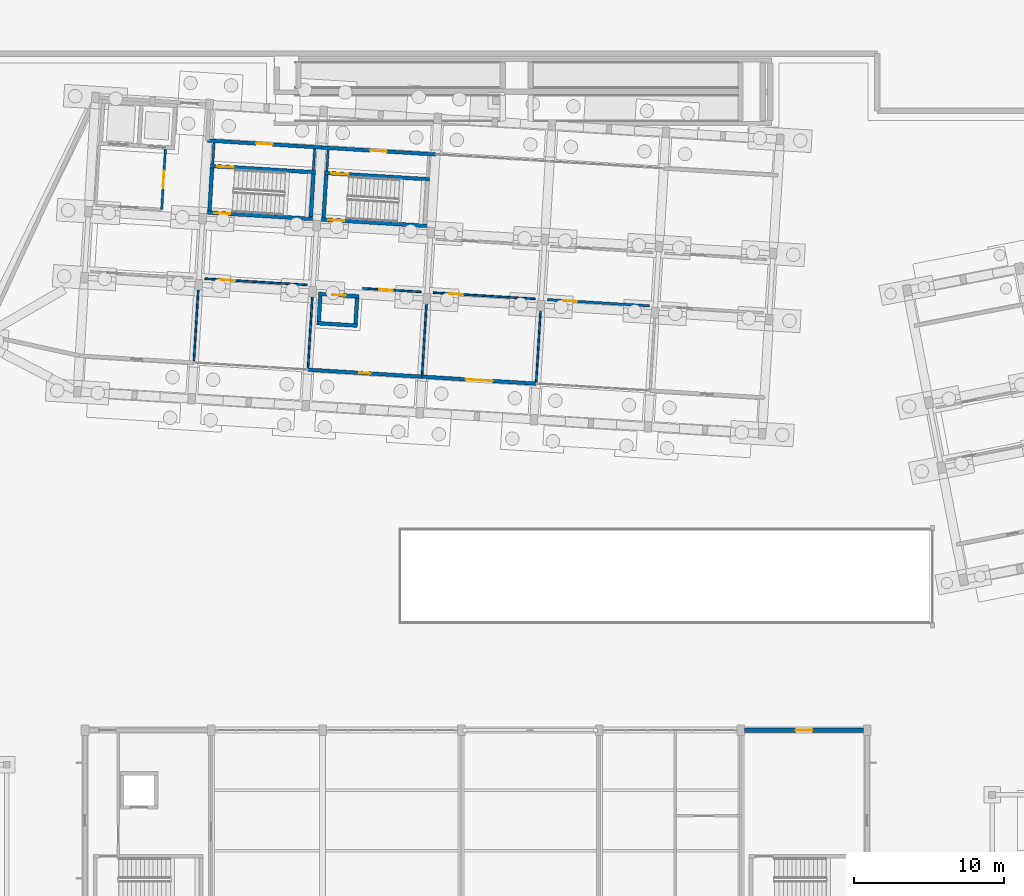
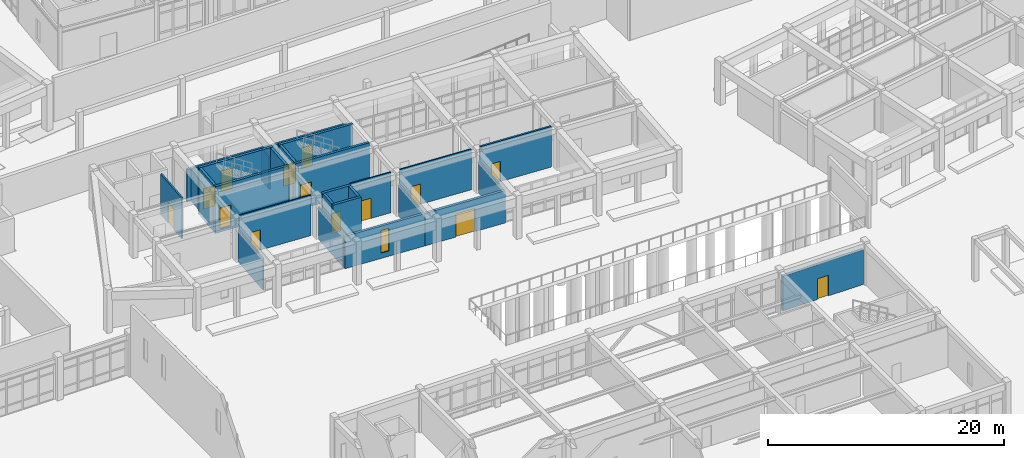
# One storey, part 121 of 154: 28 walls, 14 doors, 1 window, 15 openings.
"""IFC4 building model written with IfcOpenShell, lengths in metres."""

from ifc_helpers import new_model, si_unit, direction, frame, frame_2d, origin, place, context, subcontext, project, spatial, rectangle, extrude, material, layer, layer_set, type_object, element, fill, save


model = new_model("IFC4")

# Units and contexts
model_context = context("Model", 3, precision=1e-05, world=origin(), true_north=direction((0.0, 1.0)))
body_context = subcontext(model_context, "Body", "Model", "MODEL_VIEW")
ifc_project = project(units=[si_unit("LENGTHUNIT", "METRE"), si_unit("AREAUNIT", "SQUARE_METRE"), si_unit("VOLUMEUNIT", "CUBIC_METRE"), si_unit("PLANEANGLEUNIT", "RADIAN"), si_unit("MASSUNIT", "GRAM", prefix="KILO")], contexts=[model_context])

# Site, building, storey
site_placement = place(None, origin())
site = spatial("IfcSite", under=ifc_project, at=site_placement, CompositionType="ELEMENT")
building_placement = place(site_placement, origin())
building = spatial("IfcBuilding", under=site, at=building_placement, Name="Kestramere Prow Commons", CompositionType="ELEMENT")
storey_placement = place(building_placement, origin())
storey = spatial("IfcBuildingStorey", under=building, at=storey_placement, Name="L00", CompositionType="ELEMENT", Elevation=0.0)

# Wall, opening, door
ifc_material_1 = material(Name="Precast concrete C40/50", Category="concrete")
ifc_layer_1 = layer(ifc_material_1, 0.280029296875)
ifc_layer_set_1 = layer_set([ifc_layer_1], Name="Precast concrete C40/50")
wall_type_1 = type_object("IfcWallType", Name="EW-CIVIC-280", PredefinedType="SOLIDWALL", material=ifc_layer_set_1)
wall_1_placement = place(storey_placement, frame((103.85009765625, 24.0, 0.0), z_axis=(0.0, 0.0, 1.0), x_axis=(1.0, 0.0, 0.0)))
wall_1 = element("IfcWall", 1, at=wall_1_placement, inside=storey, type_object=wall_type_1, Name="Market L00 Core Wall 6", PredefinedType="SOLIDWALL", context=body_context, shape_type="SweptSolid", body=[
    extrude(rectangle(XDim=7.89990234375, YDim=0.280029296875, at=frame_2d((3.949951171875, 0.0))), origin(), (0.0, 0.0, 1.0), 3.590087890625),
])
opening_1_placement = place(wall_1_placement, frame((3.39990234375, 0.0, 0.0)))
opening_1 = element("IfcOpeningElement", 2, at=opening_1_placement, cuts=wall_1, Name="Opening ED-03", PredefinedType="OPENING", context=body_context, shape_type="SweptSolid", body=[
    extrude(rectangle(XDim=1.10009765625, YDim=2.14990234375, at=frame_2d((0.550048828125, 1.074951171875))), frame((0.0, 0.155029296875, 0.0), z_axis=(0.0, -1.0, 0.0), x_axis=(1.0, 0.0, 0.0)), (0.0, 0.0, 1.0), 0.31005859375),
])
ifc_material_2 = material(Name="Thermally-Broken Anodised Aluminium Glazed", Category="aluminium")
door_type_1 = type_object("IfcDoorType", Name="ED-STAIR-1100", OperationType="NOTDEFINED", PredefinedType="DOOR", material=ifc_material_2)
door_1_placement = place(opening_1_placement, origin())
door_1 = element("IfcDoor", 3, at=door_1_placement, inside=storey, type_object=door_type_1, Name="Market Stair Exit Door 6", OperationType="SINGLE_SWING_RIGHT", OverallHeight=2.14990234375, OverallWidth=1.10009765625, PredefinedType="DOOR", context=body_context, shape_type="SweptSolid", body=[
    extrude(rectangle(XDim=1.10009765625, YDim=2.14990234375, at=frame_2d((0.550048828125, 1.074951171875))), frame((0.0, 0.02490234375, 0.0), z_axis=(0.0, -1.0, 0.0), x_axis=(1.0, 0.0, 0.0)), (0.0, 0.0, 1.0), 0.050048828125),
])
fill(opening_1, door_1)

# Wall, opening, window
ifc_material_3 = material(Name="Fluoropolymer Standing-Seam Zinc-Aluminium Cladding", Category="aluminium")
ifc_layer_2 = layer(ifc_material_3, 0.239990234375)
ifc_layer_set_2 = layer_set([ifc_layer_2], Name="Fluoropolymer Standing-Seam Zinc-Aluminium Cladding")
wall_type_2 = type_object("IfcWallType", Name="EW-SEAM-240", PredefinedType="SOLIDWALL", material=ifc_layer_set_2)
wall_2_placement = place(storey_placement, frame((82.404052734375, 47.503662109375, 0.0), z_axis=(0.0, 0.0, 1.0), x_axis=(-0.998135669243, 0.061034300063, 0.0)))
wall_2 = element("IfcWall", 4, at=wall_2_placement, inside=storey, type_object=wall_type_2, Name="Block C L00 South Recessed Wall 3", PredefinedType="SOLIDWALL", context=body_context, shape_type="SweptSolid", body=[
    extrude(rectangle(XDim=7.60009765625, YDim=0.239990234375, at=frame_2d((3.800048828125, 0.0))), origin(), (0.0, 0.0, 1.0), 3.35009765625),
])
opening_2_placement = place(wall_2_placement, frame((3.419921875, 0.0, 0.550048828125)))
opening_2 = element("IfcOpeningElement", 5, at=opening_2_placement, cuts=wall_2, Name="Opening WN-10", PredefinedType="OPENING", context=body_context, shape_type="SweptSolid", body=[
    extrude(rectangle(XDim=0.760009765625, YDim=2.340087890625, at=frame_2d((0.3798828125, 1.169921875))), frame((0.0, 0.135009765625, 0.0), z_axis=(0.0, -1.0, 0.0), x_axis=(1.0, 0.0, 0.0)), (0.0, 0.0, 1.0), 0.27001953125),
])
ifc_material_4 = material(Name="Low-E Laminated Double Glazing", Category="glass")
window_type = type_object("IfcWindowType", Name="WN-NAR-760A", PartitioningType="SINGLE_PANEL", PredefinedType="WINDOW", material=ifc_material_4)
window_placement = place(opening_2_placement, origin())
window = element("IfcWindow", 6, at=window_placement, inside=storey, type_object=window_type, Name="WN-C-L00-S-2", OverallHeight=2.340087890625, OverallWidth=0.760009765625, PartitioningType="SINGLE_PANEL", PredefinedType="WINDOW", context=body_context, shape_type="SweptSolid", body=[
    extrude(rectangle(XDim=0.760009765625, YDim=2.340087890625, at=frame_2d((0.3798828125, 1.169921875))), frame((0.0, 0.030029296875, 0.0), z_axis=(0.0, -1.0, 0.0), x_axis=(1.0, 0.0, 0.0)), (0.0, 0.0, 1.0), 0.06005859375),
])
fill(opening_2, window)

# Wall, opening, door
wall_3_placement = place(storey_placement, frame((89.98974609375, 47.03955078125, 0.0), z_axis=(0.0, 0.0, 1.0), x_axis=(-0.998133591969, 0.061068261669, 0.0)))
wall_3 = element("IfcWall", 7, at=wall_3_placement, inside=storey, type_object=wall_type_2, Name="Block C L00 South Recessed Wall 4", PredefinedType="SOLIDWALL", context=body_context, shape_type="SweptSolid", body=[
    extrude(rectangle(XDim=7.599853515625, YDim=0.239990234375, at=frame_2d((3.7998046875, 0.0))), origin(), (0.0, 0.0, 1.0), 3.35009765625),
])
opening_3_placement = place(wall_3_placement, frame((2.89990234375, 0.0, 0.0)))
opening_3 = element("IfcOpeningElement", 8, at=opening_3_placement, cuts=wall_3, Name="Opening ED-01", PredefinedType="OPENING", context=body_context, shape_type="SweptSolid", body=[
    extrude(rectangle(XDim=1.800048828125, YDim=2.39990234375, at=frame_2d((0.89990234375, 1.199951171875))), frame((0.0, 0.135009765625, 0.0), z_axis=(0.0, -1.0, 0.0), x_axis=(1.0, 0.0, 0.0)), (0.0, 0.0, 1.0), 0.27001953125),
])
door_type_2 = type_object("IfcDoorType", Name="ED-MAIN-1800", OperationType="DOUBLE_DOOR_SINGLE_SWING", PredefinedType="DOOR", material=ifc_material_2)
door_2_placement = place(opening_3_placement, origin())
door_2 = element("IfcDoor", 9, at=door_2_placement, inside=storey, type_object=door_type_2, Name="Block C Main Sheltered Entrance Door", OperationType="DOUBLE_DOOR_SINGLE_SWING", OverallHeight=2.39990234375, OverallWidth=1.800048828125, PredefinedType="DOOR", context=body_context, shape_type="SweptSolid", body=[
    extrude(rectangle(XDim=1.800048828125, YDim=2.39990234375, at=frame_2d((0.89990234375, 1.199951171875))), frame((0.0, 0.02490234375, 0.0), z_axis=(0.0, -1.0, 0.0), x_axis=(1.0, 0.0, 0.0)), (0.0, 0.0, 1.0), 0.050048828125),
])
fill(opening_3, door_2)

wall_4_placement = place(storey_placement, frame((68.1357421875, 63.203857421875, 0.0), z_axis=(0.0, 0.0, 1.0), x_axis=(0.998135669243, -0.061034300063, 0.0)))
wall_4 = element("IfcWall", 10, at=wall_4_placement, inside=storey, type_object=wall_type_2, Name="Block C L00 North Recessed Wall 2", PredefinedType="SOLIDWALL", context=body_context, shape_type="SweptSolid", body=[
    extrude(rectangle(XDim=7.60009765625, YDim=0.239990234375, at=frame_2d((3.800048828125, 0.0))), origin(), (0.0, 0.0, 1.0), 3.35009765625),
])
opening_4_placement = place(wall_4_placement, frame((3.25, 0.0, 0.0)))
opening_4 = element("IfcOpeningElement", 11, at=opening_4_placement, cuts=wall_4, Name="Opening ED-03", PredefinedType="OPENING", context=body_context, shape_type="SweptSolid", body=[
    extrude(rectangle(XDim=1.10009765625, YDim=2.14990234375, at=frame_2d((0.550048828125, 1.074951171875))), frame((0.0, 0.135009765625, 0.0), z_axis=(0.0, -1.0, 0.0), x_axis=(1.0, 0.0, 0.0)), (0.0, 0.0, 1.0), 0.27001953125),
])
door_3_placement = place(opening_4_placement, origin())
door_3 = element("IfcDoor", 12, at=door_3_placement, inside=storey, type_object=door_type_1, Name="Block C Stair 1 Final Exit Door", OperationType="SINGLE_SWING_RIGHT", OverallHeight=2.14990234375, OverallWidth=1.10009765625, PredefinedType="DOOR", context=body_context, shape_type="SweptSolid", body=[
    extrude(rectangle(XDim=1.10009765625, YDim=2.14990234375, at=frame_2d((0.550048828125, 1.074951171875))), frame((0.0, 0.02490234375, 0.0), z_axis=(0.0, -1.0, 0.0), x_axis=(1.0, 0.0, 0.0)), (0.0, 0.0, 1.0), 0.050048828125),
])
fill(opening_4, door_3)

wall_5_placement = place(storey_placement, frame((75.7216796875, 62.739990234375, 0.0), z_axis=(0.0, 0.0, 1.0), x_axis=(0.998135669243, -0.061034300063, 0.0)))
wall_5 = element("IfcWall", 13, at=wall_5_placement, inside=storey, type_object=wall_type_2, Name="Block C L00 North Recessed Wall 3", PredefinedType="SOLIDWALL", context=body_context, shape_type="SweptSolid", body=[
    extrude(rectangle(XDim=7.60009765625, YDim=0.239990234375, at=frame_2d((3.800048828125, 0.0))), origin(), (0.0, 0.0, 1.0), 3.35009765625),
])
opening_5_placement = place(wall_5_placement, frame((3.25, 0.0, 0.0)))
opening_5 = element("IfcOpeningElement", 14, at=opening_5_placement, cuts=wall_5, Name="Opening ED-03", PredefinedType="OPENING", context=body_context, shape_type="SweptSolid", body=[
    extrude(rectangle(XDim=1.10009765625, YDim=2.14990234375, at=frame_2d((0.550048828125, 1.074951171875))), frame((0.0, 0.135009765625, 0.0), z_axis=(0.0, -1.0, 0.0), x_axis=(1.0, 0.0, 0.0)), (0.0, 0.0, 1.0), 0.27001953125),
])
door_4_placement = place(opening_5_placement, origin())
door_4 = element("IfcDoor", 15, at=door_4_placement, inside=storey, type_object=door_type_1, Name="Block C Stair 2 Final Exit Door", OperationType="SINGLE_SWING_LEFT", OverallHeight=2.14990234375, OverallWidth=1.10009765625, PredefinedType="DOOR", context=body_context, shape_type="SweptSolid", body=[
    extrude(rectangle(XDim=1.10009765625, YDim=2.14990234375, at=frame_2d((0.550048828125, 1.074951171875))), frame((0.0, 0.02490234375, 0.0), z_axis=(0.0, -1.0, 0.0), x_axis=(1.0, 0.0, 0.0)), (0.0, 0.0, 1.0), 0.050048828125),
])
fill(opening_5, door_4)

ifc_material_5 = material(Name="Concrete C40/50", Category="concrete")
ifc_layer_3 = layer(ifc_material_5, 0.25)
ifc_layer_set_3 = layer_set([ifc_layer_3], Name="Concrete C40/50")
wall_type_3 = type_object("IfcWallType", Name="W-CORE-250", PredefinedType="SHEAR", material=ifc_layer_set_3)
wall_6_placement = place(storey_placement, frame((68.3330078125, 61.513671875, -0.35009765625), z_axis=(0.0, 0.0, 1.0), x_axis=(0.998135676081, -0.061034188237, 0.0)))
wall_6 = element("IfcWall", 16, at=wall_6_placement, inside=storey, type_object=wall_type_3, Name="ST-C1 L00 North Shaft Wall", PredefinedType="SHEAR", context=body_context, shape_type="SweptSolid", body=[
    extrude(rectangle(XDim=7.0, YDim=0.25, at=frame_2d((3.5, 0.0))), origin(), (0.0, 0.0, 1.0), 4.85009765625),
])
opening_6_placement = place(wall_6_placement, frame((0.449951171875, 0.0, 0.35009765625)))
opening_6 = element("IfcOpeningElement", 17, at=opening_6_placement, cuts=wall_6, Name="Opening ID-02", PredefinedType="OPENING", context=body_context, shape_type="SweptSolid", body=[
    extrude(rectangle(XDim=1.1201171875, YDim=2.14990234375, at=frame_2d((0.56005859375, 1.074951171875))), frame((0.0, 0.139892578125, 0.0), z_axis=(0.0, -1.0, 0.0), x_axis=(1.0, 0.0, 0.0)), (0.0, 0.0, 1.0), 0.280029296875),
])
ifc_material_6 = material(Name="Fire-Rated Timber and Steel Frame", Category="steel")
door_type_3 = type_object("IfcDoorType", Name="FD-ST-02", OperationType="NOTDEFINED", PredefinedType="DOOR", material=ifc_material_6)
door_5_placement = place(opening_6_placement, origin())
door_5 = element("IfcDoor", 18, at=door_5_placement, inside=storey, type_object=door_type_3, Name="ST-C1 L00 Discharge Vestibule Door", OperationType="SINGLE_SWING_RIGHT", OverallHeight=2.14990234375, OverallWidth=1.1201171875, PredefinedType="DOOR", context=body_context, shape_type="SweptSolid", body=[
    extrude(rectangle(XDim=1.1201171875, YDim=2.14990234375, at=frame_2d((0.56005859375, 1.074951171875))), frame((0.0, 0.02490234375, 0.0), z_axis=(0.0, -1.0, 0.0), x_axis=(1.0, 0.0, 0.0)), (0.0, 0.0, 1.0), 0.050048828125),
])
fill(opening_6, door_5)

wall_7_placement = place(storey_placement, frame((68.143798828125, 58.41943359375, -0.35009765625), z_axis=(0.0, 0.0, 1.0), x_axis=(0.998135546153, -0.061036313012, 0.0)))
wall_7 = element("IfcWall", 19, at=wall_7_placement, inside=storey, type_object=wall_type_3, Name="ST-C1 L00 Corridor Shaft Wall", PredefinedType="SHEAR", context=body_context, shape_type="SweptSolid", body=[
    extrude(rectangle(XDim=6.999755859375, YDim=0.25, at=frame_2d((3.5, 0.0))), origin(), (0.0, 0.0, 1.0), 4.85009765625),
])
opening_7_placement = place(wall_7_placement, frame((0.449951171875, 0.0, 0.35009765625)))
opening_7 = element("IfcOpeningElement", 20, at=opening_7_placement, cuts=wall_7, Name="Opening ID-01", PredefinedType="OPENING", context=body_context, shape_type="SweptSolid", body=[
    extrude(rectangle(XDim=1.050048828125, YDim=2.14990234375, at=frame_2d((0.52490234375, 1.074951171875))), frame((0.0, 0.139892578125, 0.0), z_axis=(0.0, -1.0, 0.0), x_axis=(1.0, 0.0, 0.0)), (0.0, 0.0, 1.0), 0.280029296875),
])
door_type_4 = type_object("IfcDoorType", Name="FD-ST-01", OperationType="NOTDEFINED", PredefinedType="DOOR", material=ifc_material_6)
door_6_placement = place(opening_7_placement, origin())
door_6 = element("IfcDoor", 21, at=door_6_placement, inside=storey, type_object=door_type_4, Name="ST-C1 L00 Protected Stair Door", OperationType="SINGLE_SWING_LEFT", OverallHeight=2.14990234375, OverallWidth=1.050048828125, PredefinedType="DOOR", context=body_context, shape_type="SweptSolid", body=[
    extrude(rectangle(XDim=1.050048828125, YDim=2.14990234375, at=frame_2d((0.52490234375, 1.074951171875))), frame((0.0, 0.02490234375, 0.0), z_axis=(0.0, -1.0, 0.0), x_axis=(1.0, 0.0, 0.0)), (0.0, 0.0, 1.0), 0.050048828125),
])
fill(opening_7, door_6)

# Walls
for number, where, z_axis, x_axis, name in (
    (22, (68.276123046875, 58.53662109375, -0.35009765625), (0.0, 0.0, 1.0), (0.06107697143, 0.998133059046, 0.0), "ST-C1 L00 Near Shaft Wall"),
    (23, (75.013671875, 58.12451171875, -0.35009765625), (0.0, 0.0, 1.0), (0.060991628362, 0.99813827763, 0.0), "ST-C1 L00 Far Shaft Wall"),
):
    element("IfcWall", number, at=place(storey_placement, frame(where, z_axis=z_axis, x_axis=x_axis)), inside=storey, type_object=wall_type_3, Name=name, PredefinedType="SHEAR", context=body_context, shape_type="SweptSolid", body=[
        extrude(rectangle(XDim=2.85009765625, YDim=0.25, at=frame_2d((1.425048828125, 0.0))), origin(), (0.0, 0.0, 1.0), 4.85009765625),
    ])

# Wall, opening, door
wall_8_placement = place(storey_placement, frame((75.9189453125, 61.0498046875, -0.35009765625), z_axis=(0.0, 0.0, 1.0), x_axis=(0.998135546153, -0.061036313012, 0.0)))
wall_8 = element("IfcWall", 24, at=wall_8_placement, inside=storey, type_object=wall_type_3, Name="ST-C2 L00 North Shaft Wall", PredefinedType="SHEAR", context=body_context, shape_type="SweptSolid", body=[
    extrude(rectangle(XDim=6.999755859375, YDim=0.25, at=frame_2d((3.5, 0.0))), origin(), (0.0, 0.0, 1.0), 4.85009765625),
])
opening_8_placement = place(wall_8_placement, frame((0.449951171875, 0.0, 0.35009765625)))
opening_8 = element("IfcOpeningElement", 25, at=opening_8_placement, cuts=wall_8, Name="Opening ID-02", PredefinedType="OPENING", context=body_context, shape_type="SweptSolid", body=[
    extrude(rectangle(XDim=1.1201171875, YDim=2.14990234375, at=frame_2d((0.56005859375, 1.074951171875))), frame((0.0, 0.139892578125, 0.0), z_axis=(0.0, -1.0, 0.0), x_axis=(1.0, 0.0, 0.0)), (0.0, 0.0, 1.0), 0.280029296875),
])
door_7_placement = place(opening_8_placement, origin())
door_7 = element("IfcDoor", 26, at=door_7_placement, inside=storey, type_object=door_type_3, Name="ST-C2 L00 Discharge Vestibule Door", OperationType="SINGLE_SWING_RIGHT", OverallHeight=2.14990234375, OverallWidth=1.1201171875, PredefinedType="DOOR", context=body_context, shape_type="SweptSolid", body=[
    extrude(rectangle(XDim=1.1201171875, YDim=2.14990234375, at=frame_2d((0.56005859375, 1.074951171875))), frame((0.0, 0.02490234375, 0.0), z_axis=(0.0, -1.0, 0.0), x_axis=(1.0, 0.0, 0.0)), (0.0, 0.0, 1.0), 0.050048828125),
])
fill(opening_8, door_7)

wall_9_placement = place(storey_placement, frame((75.729736328125, 57.95556640625, -0.35009765625), z_axis=(0.0, 0.0, 1.0), x_axis=(0.998135546153, -0.061036313012, 0.0)))
wall_9 = element("IfcWall", 27, at=wall_9_placement, inside=storey, type_object=wall_type_3, Name="ST-C2 L00 Corridor Shaft Wall", PredefinedType="SHEAR", context=body_context, shape_type="SweptSolid", body=[
    extrude(rectangle(XDim=6.999755859375, YDim=0.25, at=frame_2d((3.5, 0.0))), origin(), (0.0, 0.0, 1.0), 4.85009765625),
])
opening_9_placement = place(wall_9_placement, frame((0.449951171875, 0.0, 0.35009765625)))
opening_9 = element("IfcOpeningElement", 28, at=opening_9_placement, cuts=wall_9, Name="Opening ID-01", PredefinedType="OPENING", context=body_context, shape_type="SweptSolid", body=[
    extrude(rectangle(XDim=1.050048828125, YDim=2.14990234375, at=frame_2d((0.52490234375, 1.074951171875))), frame((0.0, 0.139892578125, 0.0), z_axis=(0.0, -1.0, 0.0), x_axis=(1.0, 0.0, 0.0)), (0.0, 0.0, 1.0), 0.280029296875),
])
door_8_placement = place(opening_9_placement, origin())
door_8 = element("IfcDoor", 29, at=door_8_placement, inside=storey, type_object=door_type_4, Name="ST-C2 L00 Protected Stair Door", OperationType="SINGLE_SWING_LEFT", OverallHeight=2.14990234375, OverallWidth=1.050048828125, PredefinedType="DOOR", context=body_context, shape_type="SweptSolid", body=[
    extrude(rectangle(XDim=1.050048828125, YDim=2.14990234375, at=frame_2d((0.52490234375, 1.074951171875))), frame((0.0, 0.02490234375, 0.0), z_axis=(0.0, -1.0, 0.0), x_axis=(1.0, 0.0, 0.0)), (0.0, 0.0, 1.0), 0.050048828125),
])
fill(opening_9, door_8)

# Wall
wall_10_placement = place(storey_placement, frame((75.862060546875, 58.07275390625, -0.35009765625), z_axis=(0.0, 0.0, 1.0), x_axis=(0.060991628362, 0.99813827763, 0.0)))
element("IfcWall", 30, at=wall_10_placement, inside=storey, type_object=wall_type_3, Name="ST-C2 L00 Near Shaft Wall", PredefinedType="SHEAR", context=body_context, shape_type="SweptSolid", body=[
    extrude(rectangle(XDim=2.85009765625, YDim=0.25, at=frame_2d((1.425048828125, 0.0))), origin(), (0.0, 0.0, 1.0), 4.85009765625),
])

# Wall, opening, door
ifc_material_7 = material(Name="Fire-Rated Calcium Silicate Wall")
ifc_layer_4 = layer(ifc_material_7, 0.155029296875)
ifc_layer_set_4 = layer_set([ifc_layer_4], Name="Fire-Rated Calcium Silicate Wall")
wall_type_4 = type_object("IfcWallType", Name="W-FIRE-150", PredefinedType="PARTITIONING", material=ifc_layer_set_4)
wall_11_placement = place(storey_placement, frame((65.10107421875, 58.630615234375, 0.0), z_axis=(0.0, 0.0, 1.0), x_axis=(0.061033125904, 0.99813574104, 0.0)))
wall_11 = element("IfcWall", 31, at=wall_11_placement, inside=storey, type_object=wall_type_4, Name="Interior Partition PW-C-L00-FFL-E", PredefinedType="PARTITIONING", context=body_context, shape_type="SweptSolid", body=[
    extrude(rectangle(XDim=4.000244140625, YDim=0.155029296875, at=frame_2d((2.0, 0.0))), origin(), (0.0, 0.0, 1.0), 4.219970703125),
])
opening_10_placement = place(wall_11_placement, frame((1.39990234375, 0.0, 0.0)))
opening_10 = element("IfcOpeningElement", 32, at=opening_10_placement, cuts=wall_11, Name="Opening ID-03", PredefinedType="OPENING", context=body_context, shape_type="SweptSolid", body=[
    extrude(rectangle(XDim=1.179931640625, YDim=2.14990234375, at=frame_2d((0.58984375, 1.074951171875))), frame((0.0, 0.092529296875, 0.0), z_axis=(0.0, -1.0, 0.0), x_axis=(1.0, 0.0, 0.0)), (0.0, 0.0, 1.0), 0.18505859375),
])
ifc_material_8 = material(Name="Fire-Rated Glazed Smoke-Stop Door")
door_type_5 = type_object("IfcDoorType", Name="FD-LB-01", OperationType="NOTDEFINED", PredefinedType="DOOR", material=ifc_material_8)
door_9_placement = place(opening_10_placement, origin())
door_9 = element("IfcDoor", 33, at=door_9_placement, inside=storey, type_object=door_type_5, Name="Interior Door DR-C-L00-FFL-PL", OperationType="SINGLE_SWING_LEFT", OverallHeight=2.14990234375, OverallWidth=1.179931640625, PredefinedType="DOOR", context=body_context, shape_type="SweptSolid", body=[
    extrude(rectangle(XDim=1.179931640625, YDim=2.14990234375, at=frame_2d((0.58984375, 1.074951171875))), frame((0.0, 0.02490234375, 0.0), z_axis=(0.0, -1.0, 0.0), x_axis=(1.0, 0.0, 0.0)), (0.0, 0.0, 1.0), 0.050048828125),
])
fill(opening_10, door_9)

# Walls
wall_12_placement = place(storey_placement, frame((68.49072265625, 61.63427734375, 0.0), z_axis=(0.0, 0.0, 1.0), x_axis=(0.06102966984, 0.998135952363, 0.0)))
element("IfcWall", 34, at=wall_12_placement, inside=storey, type_object=wall_type_4, Name="ST-C1 Discharge Vestibule Wall W", PredefinedType="PARTITIONING", context=body_context, shape_type="SweptSolid", body=[
    extrude(rectangle(XDim=1.420166015625, YDim=0.155029296875, at=frame_2d((0.7099609375, 0.0))), origin(), (0.0, 0.0, 1.0), 3.35009765625),
])
for number, where, z_axis, x_axis, name in (
    (35, (75.17822265625, 61.225341796875, 0.0), (0.0, 0.0, 1.0), (0.061040143965, 0.998135311881, 0.0), "ST-C1 Discharge Vestibule Wall E"),
    (36, (76.076416015625, 61.17041015625, 0.0), (0.0, 0.0, 1.0), (0.061211444687, 0.998124821372, 0.0), "ST-C2 Discharge Vestibule Wall W"),
):
    element("IfcWall", number, at=place(storey_placement, frame(where, z_axis=z_axis, x_axis=x_axis)), inside=storey, type_object=wall_type_4, Name=name, PredefinedType="PARTITIONING", context=body_context, shape_type="SweptSolid", body=[
        extrude(rectangle(XDim=1.419921875, YDim=0.155029296875, at=frame_2d((0.7099609375, 0.0))), origin(), (0.0, 0.0, 1.0), 3.35009765625),
    ])
ifc_layer_5 = layer(ifc_material_5, 0.25)
ifc_layer_set_5 = layer_set([ifc_layer_5], Name="Concrete C40/50")
wall_type_5 = type_object("IfcWallType", Name="W-HS-250", PredefinedType="SHEAR", material=ifc_layer_set_5)
wall_13_placement = place(storey_placement, frame((75.408203125, 51.062255859375, -0.35009765625), z_axis=(0.0, 0.0, 1.0), x_axis=(0.998135757881, -0.061032850491, 0.0)))
element("IfcWall", 37, at=wall_13_placement, inside=storey, type_object=wall_type_5, Name="Block C L00 Household Shelter South Wall", PredefinedType="SHEAR", context=body_context, shape_type="SweptSolid", body=[
    extrude(rectangle(XDim=2.7001953125, YDim=0.25, at=frame_2d((1.35009765625, 0.0))), origin(), (0.0, 0.0, 1.0), 4.85009765625),
])

# Wall, opening, door
wall_14_placement = place(storey_placement, frame((75.52734375, 53.0087890625, -0.35009765625), z_axis=(0.0, 0.0, 1.0), x_axis=(0.998129907752, -0.061128448781, 0.0)))
wall_14 = element("IfcWall", 38, at=wall_14_placement, inside=storey, type_object=wall_type_5, Name="Block C L00 Household Shelter North Wall", PredefinedType="SHEAR", context=body_context, shape_type="SweptSolid", body=[
    extrude(rectangle(XDim=2.699951171875, YDim=0.25, at=frame_2d((1.35009765625, 0.0))), origin(), (0.0, 0.0, 1.0), 4.85009765625),
])
opening_11_placement = place(wall_14_placement, frame((0.89990234375, 0.0, 0.35009765625)))
opening_11 = element("IfcOpeningElement", 39, at=opening_11_placement, cuts=wall_14, Name="Opening ID-06", PredefinedType="OPENING", context=body_context, shape_type="SweptSolid", body=[
    extrude(rectangle(XDim=0.89990234375, YDim=2.050048828125, at=frame_2d((0.449951171875, 1.02490234375))), frame((0.0, 0.139892578125, 0.0), z_axis=(0.0, -1.0, 0.0), x_axis=(1.0, 0.0, 0.0)), (0.0, 0.0, 1.0), 0.280029296875),
])
ifc_material_9 = material(Name="Galvanised Steel S275JR Household Shelter Door", Category="steel")
door_type_6 = type_object("IfcDoorType", Name="FD-HS-01", OperationType="NOTDEFINED", PredefinedType="DOOR", material=ifc_material_9)
door_10_placement = place(opening_11_placement, origin())
door_10 = element("IfcDoor", 40, at=door_10_placement, inside=storey, type_object=door_type_6, Name="Block C L00 Household Shelter Blast Door", OperationType="SINGLE_SWING_RIGHT", OverallHeight=2.050048828125, OverallWidth=0.89990234375, PredefinedType="DOOR", context=body_context, shape_type="SweptSolid", body=[
    extrude(rectangle(XDim=0.89990234375, YDim=2.050048828125, at=frame_2d((0.449951171875, 1.02490234375))), frame((0.0, 0.02490234375, 0.0), z_axis=(0.0, -1.0, 0.0), x_axis=(1.0, 0.0, 0.0)), (0.0, 0.0, 1.0), 0.050048828125),
])
fill(opening_11, door_10)

# Walls
wall_15_placement = place(storey_placement, frame((75.54052734375, 51.179443359375, -0.35009765625), z_axis=(0.0, 0.0, 1.0), x_axis=(0.061037062968, 0.998135500293, 0.0)))
element("IfcWall", 41, at=wall_15_placement, inside=storey, type_object=wall_type_5, Name="Block C L00 Household Shelter W Wall", PredefinedType="SHEAR", context=body_context, shape_type="SweptSolid", body=[
    extrude(rectangle(XDim=1.699951171875, YDim=0.25, at=frame_2d((0.85009765625, 0.0))), origin(), (0.0, 0.0, 1.0), 4.85009765625),
])
wall_16_placement = place(storey_placement, frame((77.986083984375, 51.02978515625, -0.35009765625), z_axis=(0.0, 0.0, 1.0), x_axis=(0.061028314627, 0.998136035225, 0.0)))
element("IfcWall", 42, at=wall_16_placement, inside=storey, type_object=wall_type_5, Name="Block C L00 Household Shelter E Wall", PredefinedType="SHEAR", context=body_context, shape_type="SweptSolid", body=[
    extrude(rectangle(XDim=1.7001953125, YDim=0.25, at=frame_2d((0.85009765625, 0.0))), origin(), (0.0, 0.0, 1.0), 4.85009765625),
])

# Wall, opening, door
ifc_material_10 = material(Name="Lightweight Blockwork and Plaster", Category="masonry")
ifc_layer_6 = layer(ifc_material_10, 0.1201171875)
ifc_layer_set_6 = layer_set([ifc_layer_6], Name="Lightweight Blockwork and Plaster")
wall_type_6 = type_object("IfcWallType", Name="W-PART-120", PredefinedType="PARTITIONING", material=ifc_layer_set_6)
wall_17_placement = place(storey_placement, frame((67.974609375, 54.0166015625, 0.0), z_axis=(0.0, 0.0, 1.0), x_axis=(0.998135634047, -0.061034875648, 0.0)))
wall_17 = element("IfcWall", 43, at=wall_17_placement, inside=storey, type_object=wall_type_6, Name="Interior Partition PW-C-L00-CS-1", PredefinedType="PARTITIONING", context=body_context, shape_type="SweptSolid", body=[
    extrude(rectangle(XDim=6.800048828125, YDim=0.1201171875, at=frame_2d((3.39990234375, 0.0))), origin(), (0.0, 0.0, 1.0), 4.219970703125),
])
opening_12_placement = place(wall_17_placement, frame((1.10009765625, 0.0, 0.0)))
opening_12 = element("IfcOpeningElement", 44, at=opening_12_placement, cuts=wall_17, Name="Opening ID-08", PredefinedType="OPENING", context=body_context, shape_type="SweptSolid", body=[
    extrude(rectangle(XDim=0.89990234375, YDim=2.10009765625, at=frame_2d((0.449951171875, 1.050048828125))), frame((0.0, 0.074951171875, 0.0), z_axis=(0.0, -1.0, 0.0), x_axis=(1.0, 0.0, 0.0)), (0.0, 0.0, 1.0), 0.150146484375),
])
ifc_material_11 = material(Name="Engineered Timber Flush Door", Category="wood")
door_type_7 = type_object("IfcDoorType", Name="D-RM-01", OperationType="NOTDEFINED", PredefinedType="DOOR", material=ifc_material_11)
door_11_placement = place(opening_12_placement, origin())
door_11 = element("IfcDoor", 45, at=door_11_placement, inside=storey, type_object=door_type_7, Name="Interior Door DR-C-L00-S-1", OperationType="SINGLE_SWING_RIGHT", OverallHeight=2.10009765625, OverallWidth=0.89990234375, PredefinedType="DOOR", context=body_context, shape_type="SweptSolid", body=[
    extrude(rectangle(XDim=0.89990234375, YDim=2.10009765625, at=frame_2d((0.449951171875, 1.050048828125))), frame((0.0, 0.02490234375, 0.0), z_axis=(0.0, -1.0, 0.0), x_axis=(1.0, 0.0, 0.0)), (0.0, 0.0, 1.0), 0.050048828125),
])
fill(opening_12, door_11)

# Wall
wall_18_placement = place(storey_placement, frame((67.240234375, 48.561279296875, 0.0), z_axis=(0.0, 0.0, 1.0), x_axis=(0.061034663384, 0.998135647027, 0.0)))
element("IfcWall", 46, at=wall_18_placement, inside=storey, type_object=wall_type_6, Name="Interior Partition PW-C-L00-DVS-1", PredefinedType="PARTITIONING", context=body_context, shape_type="SweptSolid", body=[
    extrude(rectangle(XDim=4.739990234375, YDim=0.1201171875, at=frame_2d((2.3701171875, 0.0))), origin(), (0.0, 0.0, 1.0), 3.320068359375),
])

# Wall, opening, door
wall_19_placement = place(storey_placement, frame((78.455078125, 53.375732421875, 0.0), z_axis=(0.0, 0.0, 1.0), x_axis=(0.998131890624, -0.061096063045, 0.0)))
wall_19 = element("IfcWall", 47, at=wall_19_placement, inside=storey, type_object=wall_type_6, Name="Interior Partition PW-C-L00-CS-2", PredefinedType="PARTITIONING", context=body_context, shape_type="SweptSolid", body=[
    extrude(rectangle(XDim=3.900146484375, YDim=0.1201171875, at=frame_2d((1.9501953125, 0.0))), origin(), (0.0, 0.0, 1.0), 4.219970703125),
])
opening_13_placement = place(wall_19_placement, frame((1.10009765625, 0.0, 0.0)))
opening_13 = element("IfcOpeningElement", 48, at=opening_13_placement, cuts=wall_19, Name="Opening ID-08", PredefinedType="OPENING", context=body_context, shape_type="SweptSolid", body=[
    extrude(rectangle(XDim=0.89990234375, YDim=2.10009765625, at=frame_2d((0.449951171875, 1.050048828125))), frame((0.0, 0.074951171875, 0.0), z_axis=(0.0, -1.0, 0.0), x_axis=(1.0, 0.0, 0.0)), (0.0, 0.0, 1.0), 0.150146484375),
])
door_12_placement = place(opening_13_placement, origin())
door_12 = element("IfcDoor", 49, at=door_12_placement, inside=storey, type_object=door_type_7, Name="Interior Door DR-C-L00-S-2", OperationType="SINGLE_SWING_LEFT", OverallHeight=2.10009765625, OverallWidth=0.89990234375, PredefinedType="DOOR", context=body_context, shape_type="SweptSolid", body=[
    extrude(rectangle(XDim=0.89990234375, YDim=2.10009765625, at=frame_2d((0.449951171875, 1.050048828125))), frame((0.0, 0.02490234375, 0.0), z_axis=(0.0, -1.0, 0.0), x_axis=(1.0, 0.0, 0.0)), (0.0, 0.0, 1.0), 0.050048828125),
])
fill(opening_13, door_12)

# Wall
wall_20_placement = place(storey_placement, frame((74.826171875, 48.097412109375, 0.0), z_axis=(0.0, 0.0, 1.0), x_axis=(0.061034663384, 0.998135647027, 0.0)))
element("IfcWall", 50, at=wall_20_placement, inside=storey, type_object=wall_type_6, Name="Interior Partition PW-C-L00-DVS-2", PredefinedType="PARTITIONING", context=body_context, shape_type="SweptSolid", body=[
    extrude(rectangle(XDim=4.739990234375, YDim=0.1201171875, at=frame_2d((2.3701171875, 0.0))), origin(), (0.0, 0.0, 1.0), 3.320068359375),
])

# Wall, opening, door
wall_21_placement = place(storey_placement, frame((83.146240234375, 53.088623046875, 0.0), z_axis=(0.0, 0.0, 1.0), x_axis=(0.998135634047, -0.061034875648, 0.0)))
wall_21 = element("IfcWall", 51, at=wall_21_placement, inside=storey, type_object=wall_type_6, Name="Interior Partition PW-C-L00-CS-3", PredefinedType="PARTITIONING", context=body_context, shape_type="SweptSolid", body=[
    extrude(rectangle(XDim=6.800048828125, YDim=0.1201171875, at=frame_2d((3.39990234375, 0.0))), origin(), (0.0, 0.0, 1.0), 4.219970703125),
])
opening_14_placement = place(wall_21_placement, frame((1.10009765625, 0.0, 0.0)))
opening_14 = element("IfcOpeningElement", 52, at=opening_14_placement, cuts=wall_21, Name="Opening ID-10", PredefinedType="OPENING", context=body_context, shape_type="SweptSolid", body=[
    extrude(rectangle(XDim=0.8798828125, YDim=2.10009765625, at=frame_2d((0.43994140625, 1.050048828125))), frame((0.0, 0.074951171875, 0.0), z_axis=(0.0, -1.0, 0.0), x_axis=(1.0, 0.0, 0.0)), (0.0, 0.0, 1.0), 0.150146484375),
])
ifc_material_12 = material(Name="Engineered Timber Bedroom Door", Category="wood")
door_type_8 = type_object("IfcDoorType", Name="D-RM-03", OperationType="NOTDEFINED", PredefinedType="DOOR", material=ifc_material_12)
door_13_placement = place(opening_14_placement, origin())
door_13 = element("IfcDoor", 53, at=door_13_placement, inside=storey, type_object=door_type_8, Name="Interior Door DR-C-L00-S-3", OperationType="SINGLE_SWING_RIGHT", OverallHeight=2.10009765625, OverallWidth=0.8798828125, PredefinedType="DOOR", context=body_context, shape_type="SweptSolid", body=[
    extrude(rectangle(XDim=0.8798828125, YDim=2.10009765625, at=frame_2d((0.43994140625, 1.050048828125))), frame((0.0, 0.02490234375, 0.0), z_axis=(0.0, -1.0, 0.0), x_axis=(1.0, 0.0, 0.0)), (0.0, 0.0, 1.0), 0.050048828125),
])
fill(opening_14, door_13)

# Walls
for number, where, z_axis, x_axis, name in (
    (54, (82.411865234375, 47.63330078125, 0.0), (0.0, 0.0, 1.0), (0.061085977316, 0.998132507924, 0.0), "Interior Partition PW-C-L00-DVS-3"),
    (55, (89.997802734375, 47.16943359375, 0.0), (0.0, 0.0, 1.0), (0.061034663384, 0.998135647027, 0.0), "Interior Partition PW-C-L00-DVS-4"),
):
    element("IfcWall", number, at=place(storey_placement, frame(where, z_axis=z_axis, x_axis=x_axis)), inside=storey, type_object=wall_type_6, Name=name, PredefinedType="PARTITIONING", context=body_context, shape_type="SweptSolid", body=[
        extrude(rectangle(XDim=4.739990234375, YDim=0.1201171875, at=frame_2d((2.3701171875, 0.0))), origin(), (0.0, 0.0, 1.0), 3.320068359375),
    ])

# Wall, opening, door
ifc_material_13 = material(Name="Waterproof Sanitary Masonry Wall", Category="masonry")
ifc_layer_7 = layer(ifc_material_13, 0.1650390625)
ifc_layer_set_7 = layer_set([ifc_layer_7], Name="Waterproof Sanitary Masonry Wall")
wall_type_7 = type_object("IfcWallType", Name="W-PLUMB-150", PredefinedType="PLUMBINGWALL", material=ifc_layer_set_7)
wall_22_placement = place(storey_placement, frame((90.732177734375, 52.624755859375, 0.0), z_axis=(0.0, 0.0, 1.0), x_axis=(0.998135634047, -0.061034875648, 0.0)))
wall_22 = element("IfcWall", 56, at=wall_22_placement, inside=storey, type_object=wall_type_7, Name="Interior Partition PW-C-L00-CS-4", PredefinedType="PLUMBINGWALL", context=body_context, shape_type="SweptSolid", body=[
    extrude(rectangle(XDim=6.800048828125, YDim=0.1650390625, at=frame_2d((3.39990234375, 0.0))), origin(), (0.0, 0.0, 1.0), 4.219970703125),
])
opening_15_placement = place(wall_22_placement, frame((1.10009765625, 0.0, 0.0)))
opening_15 = element("IfcOpeningElement", 57, at=opening_15_placement, cuts=wall_22, Name="Opening ID-12", PredefinedType="OPENING", context=body_context, shape_type="SweptSolid", body=[
    extrude(rectangle(XDim=0.860107421875, YDim=2.10009765625, at=frame_2d((0.43017578125, 1.050048828125))), frame((0.0, 0.097412109375, 0.0), z_axis=(0.0, -1.0, 0.0), x_axis=(1.0, 0.0, 0.0)), (0.0, 0.0, 1.0), 0.195068359375),
])
ifc_material_14 = material(Name="Moisture-Resistant Timber WC Door", Category="wood")
door_type_9 = type_object("IfcDoorType", Name="D-WC-01", OperationType="NOTDEFINED", PredefinedType="DOOR", material=ifc_material_14)
door_14_placement = place(opening_15_placement, origin())
door_14 = element("IfcDoor", 58, at=door_14_placement, inside=storey, type_object=door_type_9, Name="Interior Door DR-C-L00-S-4", OperationType="SINGLE_SWING_LEFT", OverallHeight=2.10009765625, OverallWidth=0.860107421875, PredefinedType="DOOR", context=body_context, shape_type="SweptSolid", body=[
    extrude(rectangle(XDim=0.860107421875, YDim=2.10009765625, at=frame_2d((0.43017578125, 1.050048828125))), frame((0.0, 0.02490234375, 0.0), z_axis=(0.0, -1.0, 0.0), x_axis=(1.0, 0.0, 0.0)), (0.0, 0.0, 1.0), 0.050048828125),
])
fill(opening_15, door_14)

save(model, "model.ifc")
